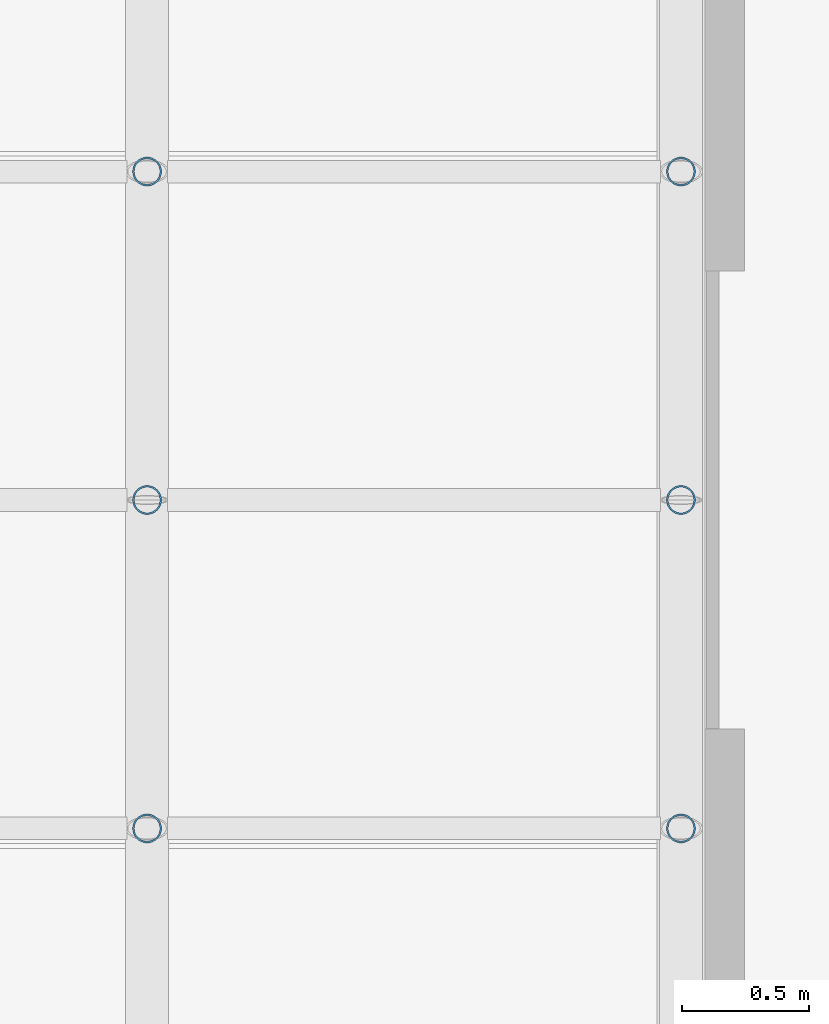
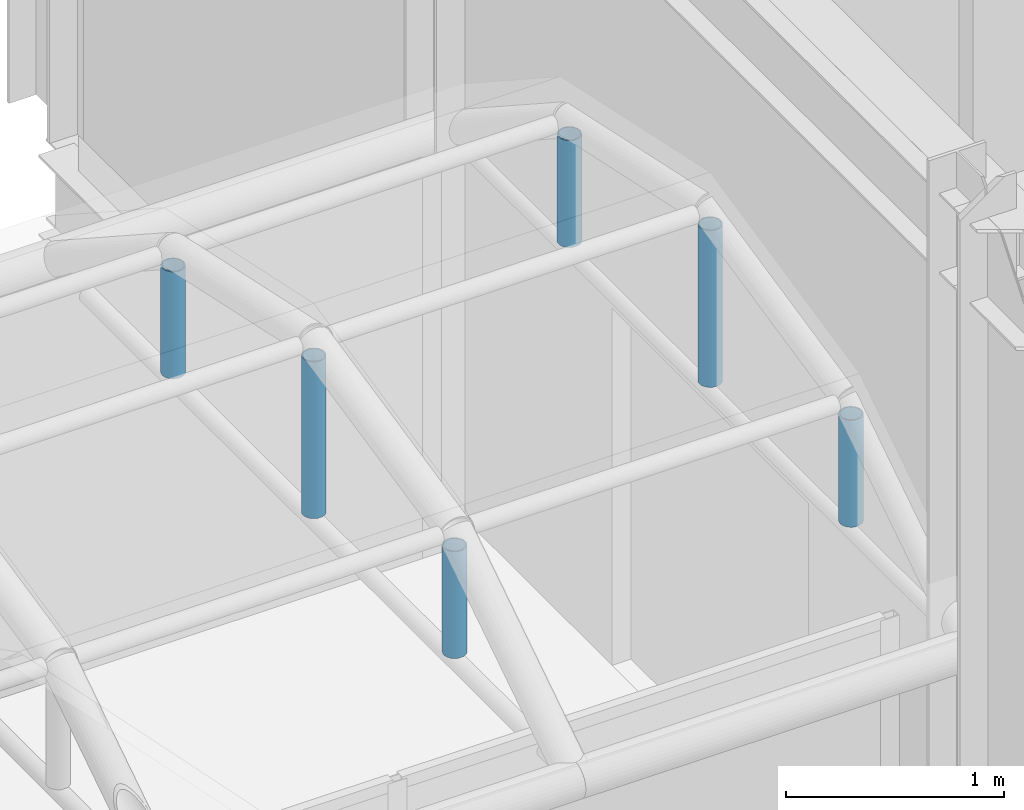
# One storey, part 140 of 167: 6 members.
"""IFC4 building model written with IfcOpenShell, lengths in metres."""

from ifc_helpers import new_model, si_unit, direction, frame, origin, origin_2d, place, context, subcontext, project, spatial, hollow_circle, extrude, material, material_profile, profile_set, type_object, element, save


model = new_model("IFC4")

# Units and contexts
model_context = context("Model", 3, precision=1e-05, world=origin(), true_north=direction((0.0, 1.0)))
body_context = subcontext(model_context, "Body", "Model", "MODEL_VIEW")
ifc_project = project(units=[si_unit("LENGTHUNIT", "METRE"), si_unit("AREAUNIT", "SQUARE_METRE"), si_unit("VOLUMEUNIT", "CUBIC_METRE"), si_unit("PLANEANGLEUNIT", "RADIAN"), si_unit("MASSUNIT", "GRAM", prefix="KILO")], contexts=[model_context])

# Site, building, storey
site_placement = place(None, origin())
site = spatial("IfcSite", under=ifc_project, at=site_placement, CompositionType="ELEMENT")
building_placement = place(site_placement, origin())
building = spatial("IfcBuilding", under=site, at=building_placement, Name="Catenary Quay Ferry Terminal", CompositionType="ELEMENT")
storey_placement = place(building_placement, frame((0.0, 0.0, 6.0)))
storey = spatial("IfcBuildingStorey", under=building, at=storey_placement, Name="L01", CompositionType="ELEMENT", Elevation=6.0)

# Members
ifc_material = material(Name="Steel S355", Category="steel")
ifc_material_profile = material_profile(ifc_material, hollow_circle(Radius=0.05712890625, WallThickness=0.00634765625, at=origin_2d()), Name="CHS 114.3x6.3")
ifc_profile_set = profile_set([ifc_material_profile], Name="Steel S355")
member_type = type_object("IfcMemberType", Name="HG1 CHS 114.3x6.3", PredefinedType="POST", material=ifc_profile_set)
member_1_placement = place(storey_placement, frame((123.89990234375, 91.10791015625, 2.14208984375), z_axis=(0.0, 0.0, 1.0), x_axis=(1.0, 0.0, 0.0)))
element("IfcMember", 1, at=member_1_placement, inside=storey, type_object=member_type, Name="Hanger RB2-16-01", PredefinedType="POST", context=body_context, shape_type="SweptSolid", body=[
    extrude(hollow_circle(Radius=0.05712890625, WallThickness=0.00634765625, at=origin_2d()), origin(), (0.0, 0.0, 1.0), 0.598876953125),
])
member_2_placement = place(storey_placement, frame((123.89990234375, 92.39990234375, 2.14208984375), z_axis=(0.0, 0.0, 1.0), x_axis=(1.0, 0.0, 0.0)))
element("IfcMember", 2, at=member_2_placement, inside=storey, type_object=member_type, Name="Hanger RB2-16-02", PredefinedType="POST", context=body_context, shape_type="SweptSolid", body=[
    extrude(hollow_circle(Radius=0.05712890625, WallThickness=0.00634765625, at=origin_2d()), origin(), (0.0, 0.0, 1.0), 0.8779296875),
])
for number, where, z_axis, x_axis, name in (
    (3, (123.89990234375, 93.69189453125, 2.14208984375), (0.0, 0.0, 1.0), (1.0, 0.0, 0.0), "Hanger RB2-16-03"),
    (4, (126.0, 91.10791015625, 2.14208984375), (0.0, 0.0, 1.0), (1.0, 0.0, 0.0), "Hanger RB2-17-01"),
):
    element("IfcMember", number, at=place(storey_placement, frame(where, z_axis=z_axis, x_axis=x_axis)), inside=storey, type_object=member_type, Name=name, PredefinedType="POST", context=body_context, shape_type="SweptSolid", body=[
        extrude(hollow_circle(Radius=0.05712890625, WallThickness=0.00634765625, at=origin_2d()), origin(), (0.0, 0.0, 1.0), 0.598876953125),
    ])
member_3_placement = place(storey_placement, frame((126.0, 92.39990234375, 2.14208984375), z_axis=(0.0, 0.0, 1.0), x_axis=(1.0, 0.0, 0.0)))
element("IfcMember", 5, at=member_3_placement, inside=storey, type_object=member_type, Name="Hanger RB2-17-02", PredefinedType="POST", context=body_context, shape_type="SweptSolid", body=[
    extrude(hollow_circle(Radius=0.05712890625, WallThickness=0.00634765625, at=origin_2d()), origin(), (0.0, 0.0, 1.0), 0.8779296875),
])
member_4_placement = place(storey_placement, frame((126.0, 93.69189453125, 2.14208984375), z_axis=(0.0, 0.0, 1.0), x_axis=(1.0, 0.0, 0.0)))
element("IfcMember", 6, at=member_4_placement, inside=storey, type_object=member_type, Name="Hanger RB2-17-03", PredefinedType="POST", context=body_context, shape_type="SweptSolid", body=[
    extrude(hollow_circle(Radius=0.05712890625, WallThickness=0.00634765625, at=origin_2d()), origin(), (0.0, 0.0, 1.0), 0.598876953125),
])

save(model, "model.ifc")
